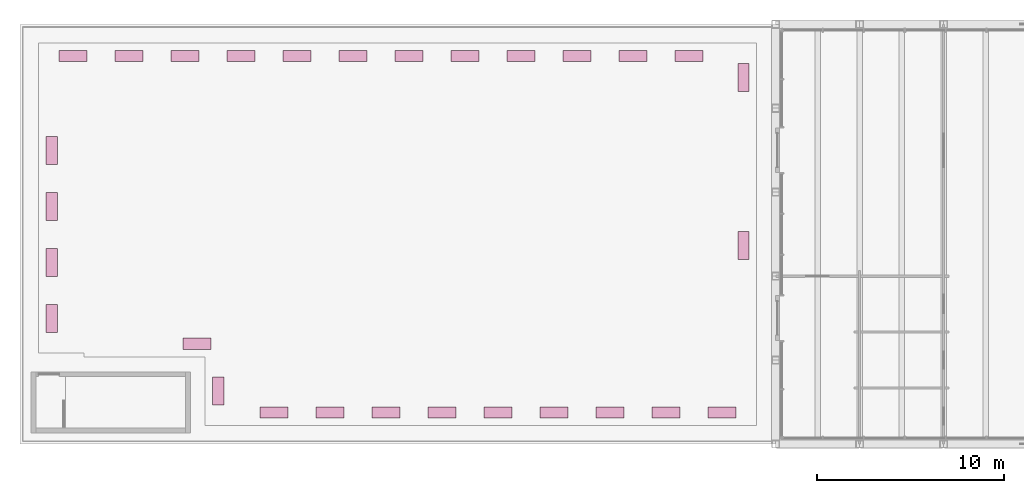
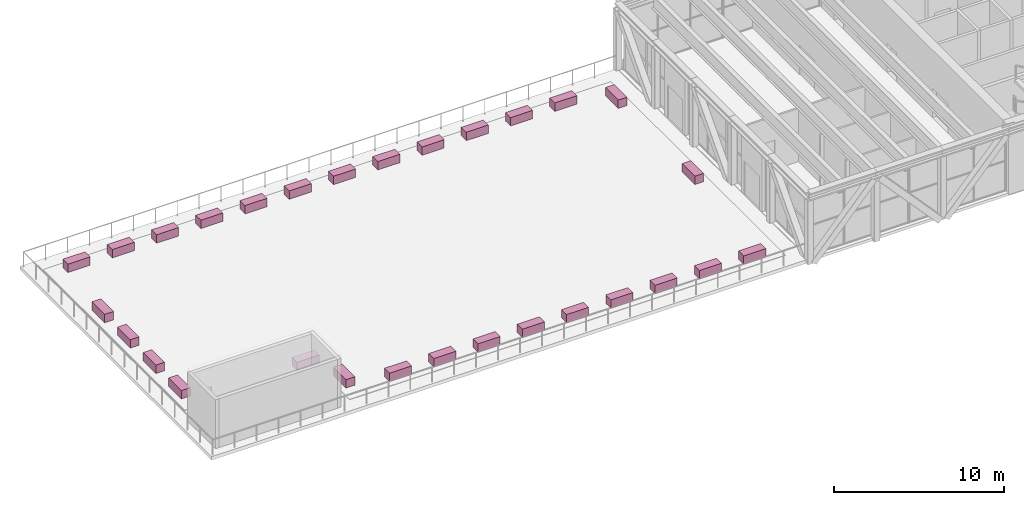
# One storey, part 13 of 13: 29 furniture elements.
"""IFC4 building model written with IfcOpenShell, lengths in metres."""

from ifc_helpers import new_model, si_unit, direction, frame, origin, origin_2d, place, context, subcontext, project, spatial, rectangle, extrude, material, type_object, element, save


model = new_model("IFC4")

# Units and contexts
model_context = context("Model", 3, precision=1e-05, world=origin(), true_north=direction((0.0, 1.0)))
body_context = subcontext(model_context, "Body", "Model", "MODEL_VIEW")
ifc_project = project(units=[si_unit("LENGTHUNIT", "METRE"), si_unit("AREAUNIT", "SQUARE_METRE"), si_unit("VOLUMEUNIT", "CUBIC_METRE"), si_unit("PLANEANGLEUNIT", "RADIAN"), si_unit("MASSUNIT", "GRAM", prefix="KILO")], contexts=[model_context])

# Site, building, storey
site_placement = place(None, origin())
site = spatial("IfcSite", under=ifc_project, at=site_placement, CompositionType="ELEMENT")
building_placement = place(site_placement, origin())
building = spatial("IfcBuilding", under=site, at=building_placement, Name="Sennacour Bend Tower", CompositionType="ELEMENT")
storey_placement = place(building_placement, frame((0.0, 0.0, 345.5)))
storey = spatial("IfcBuildingStorey", under=building, at=storey_placement, Name="L79", CompositionType="ELEMENT", Elevation=345.5)

# Furniture
ifc_material = material(Name="Planting soil with planting")
furniture_type = type_object("IfcFurnitureType", Name="PL-PLANTER-1500", AssemblyPlace="NOTDEFINED", PredefinedType="USERDEFINED", material=ifc_material)
for number, where, z_axis, x_axis, name in (
    (1, (1.699951171875, 6.72509765625, 0.030029296875), (0.0, 0.0, 1.0), (0.0, 1.0, 0.0), "Planter"),
    (2, (1.699951171875, 9.72509765625, 0.030029296875), (0.0, 0.0, 1.0), (0.0, 1.0, 0.0), "Planter"),
    (3, (1.699951171875, 12.72509765625, 0.030029296875), (0.0, 0.0, 1.0), (0.0, 1.0, 0.0), "Planter"),
    (4, (1.699951171875, 15.72509765625, 0.030029296875), (0.0, 0.0, 1.0), (0.0, 1.0, 0.0), "Planter"),
    (5, (2.85009765625, 20.800048828125, 0.030029296875), (0.0, 0.0, 1.0), (1.0, 0.0, 0.0), "Planter"),
    (6, (5.85009765625, 20.800048828125, 0.030029296875), (0.0, 0.0, 1.0), (1.0, 0.0, 0.0), "Planter"),
    (7, (8.85009765625, 20.800048828125, 0.030029296875), (0.0, 0.0, 1.0), (1.0, 0.0, 0.0), "Planter"),
    (8, (11.85009765625, 20.800048828125, 0.030029296875), (0.0, 0.0, 1.0), (1.0, 0.0, 0.0), "Planter"),
    (9, (14.85009765625, 20.800048828125, 0.030029296875), (0.0, 0.0, 1.0), (1.0, 0.0, 0.0), "Planter"),
    (10, (17.85009765625, 20.800048828125, 0.030029296875), (0.0, 0.0, 1.0), (1.0, 0.0, 0.0), "Planter"),
    (11, (20.85009765625, 20.800048828125, 0.030029296875), (0.0, 0.0, 1.0), (1.0, 0.0, 0.0), "Planter"),
    (12, (23.85009765625, 20.800048828125, 0.030029296875), (0.0, 0.0, 1.0), (1.0, 0.0, 0.0), "Planter"),
    (13, (26.85009765625, 20.800048828125, 0.030029296875), (0.0, 0.0, 1.0), (1.0, 0.0, 0.0), "Planter"),
    (14, (29.85009765625, 20.800048828125, 0.030029296875), (0.0, 0.0, 1.0), (1.0, 0.0, 0.0), "Planter"),
    (15, (32.85009765625, 20.800048828125, 0.030029296875), (0.0, 0.0, 1.0), (1.0, 0.0, 0.0), "Planter"),
    (16, (35.85009765625, 20.800048828125, 0.030029296875), (0.0, 0.0, 1.0), (1.0, 0.0, 0.0), "Planter"),
    (17, (38.77001953125, 19.64990234375, 0.030029296875), (0.0, 0.0, 1.0), (0.0, -1.0, 0.0), "Planter"),
    (18, (38.77001953125, 10.64990234375, 0.030029296875), (0.0, 0.0, 1.0), (0.0, -1.0, 0.0), "Planter"),
    (19, (37.6201171875, 1.699951171875, 0.030029296875), (0.0, 0.0, 1.0), (-1.0, 0.0, 0.0), "Planter"),
    (20, (34.6201171875, 1.699951171875, 0.030029296875), (0.0, 0.0, 1.0), (-1.0, 0.0, 0.0), "Planter"),
    (21, (31.6201171875, 1.699951171875, 0.030029296875), (0.0, 0.0, 1.0), (-1.0, 0.0, 0.0), "Planter"),
    (22, (28.6201171875, 1.699951171875, 0.030029296875), (0.0, 0.0, 1.0), (-1.0, 0.0, 0.0), "Planter"),
    (23, (25.6201171875, 1.699951171875, 0.030029296875), (0.0, 0.0, 1.0), (-1.0, 0.0, 0.0), "Planter"),
    (24, (22.6201171875, 1.699951171875, 0.030029296875), (0.0, 0.0, 1.0), (-1.0, 0.0, 0.0), "Planter"),
    (25, (19.6201171875, 1.699951171875, 0.030029296875), (0.0, 0.0, 1.0), (-1.0, 0.0, 0.0), "Planter"),
    (26, (16.6201171875, 1.699951171875, 0.030029296875), (0.0, 0.0, 1.0), (-1.0, 0.0, 0.0), "Planter"),
    (27, (13.6201171875, 1.699951171875, 0.030029296875), (0.0, 0.0, 1.0), (-1.0, 0.0, 0.0), "Planter"),
    (28, (10.625, 2.85009765625, 0.030029296875), (0.0, 0.0, 1.0), (0.0, 1.0, 0.0), "Planter"),
    (29, (9.47509765625, 5.375, 0.030029296875), (0.0, 0.0, 1.0), (-1.0, 0.0, 0.0), "Planter"),
):
    element("IfcFurniture", number, at=place(storey_placement, frame(where, z_axis=z_axis, x_axis=x_axis)), inside=storey, type_object=furniture_type, Name=name, ObjectType="PLANTER", PredefinedType="USERDEFINED", context=body_context, shape_type="SweptSolid", body=[
        extrude(rectangle(XDim=1.5, YDim=0.60009765625, at=origin_2d()), origin(), (0.0, 0.0, 1.0), 0.60009765625),
    ])

save(model, "model.ifc")
